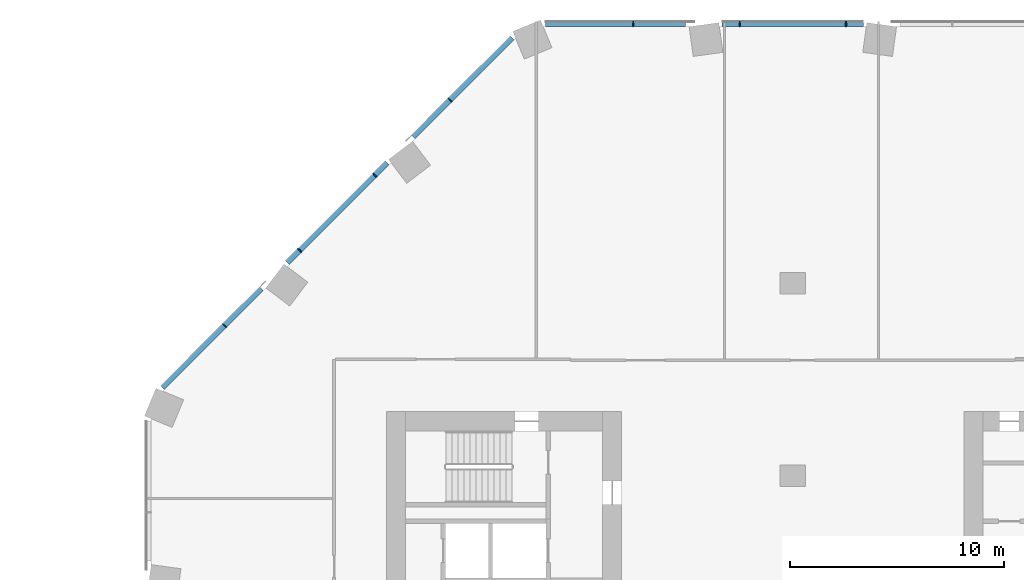
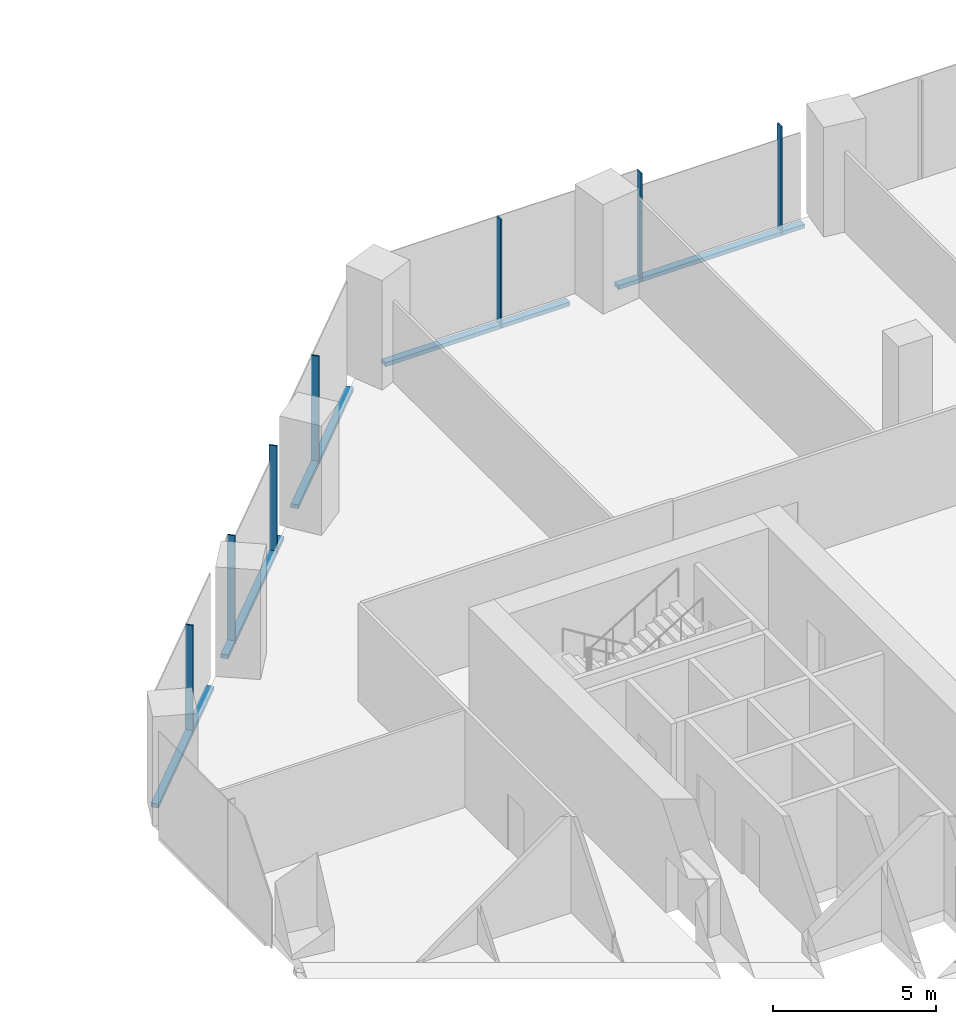
# One storey, part 10 of 29: 12 members, 2 elements without a shape of their own.
"""IFC4 building model written with IfcOpenShell, lengths in metres."""

from ifc_helpers import new_model, si_unit, direction, frame, origin, origin_2d, place, context, subcontext, project, spatial, rectangle, extrude, material, material_profile, profile_set, type_object, element, aggregate, save


model = new_model("IFC4")

# Units and contexts
model_context = context("Model", 3, precision=1e-05, world=origin(), true_north=direction((0.0, 1.0)))
body_context = subcontext(model_context, "Body", "Model", "MODEL_VIEW")
ifc_project = project(units=[si_unit("LENGTHUNIT", "METRE"), si_unit("AREAUNIT", "SQUARE_METRE"), si_unit("VOLUMEUNIT", "CUBIC_METRE"), si_unit("PLANEANGLEUNIT", "RADIAN"), si_unit("MASSUNIT", "GRAM", prefix="KILO")], contexts=[model_context])

# Site, building, storey
site_placement = place(None, origin())
site = spatial("IfcSite", under=ifc_project, at=site_placement, CompositionType="ELEMENT")
building_placement = place(site_placement, origin())
building = spatial("IfcBuilding", under=site, at=building_placement, Name="Orlundy Tower", CompositionType="ELEMENT")
storey_placement = place(building_placement, frame((0.0, 0.0, 29.199951171875)))
storey = spatial("IfcBuildingStorey", under=building, at=storey_placement, Name="L05", CompositionType="ELEMENT", Elevation=29.199951171875)

# Curtain wall, members
ifc_material_1 = material(Name="Aluminium bronze anodised", Category="aluminium")
curtain_wall_type = type_object("IfcCurtainWallType", Name="CW2 wall", PredefinedType="NOTDEFINED", material=ifc_material_1)
curtain_wall_1_placement = place(storey_placement, origin())
curtain_wall_1 = element("IfcCurtainWall", 1, at=curtain_wall_1_placement, inside=storey, type_object=curtain_wall_type, Name="CW2 run 014", PredefinedType="NOTDEFINED")
ifc_material_2 = material(Name="Aluminium bronze anodised", Category="aluminium")
ifc_material_profile_1 = material_profile(ifc_material_2, rectangle(XDim=0.25, YDim=0.050048828125, at=origin_2d()), Name="CW2 mullion 50x250")
ifc_profile_set_1 = profile_set([ifc_material_profile_1], Name="Aluminium bronze anodised")
member_type_1 = type_object("IfcMemberType", Name="CW2 mullion 50x250", PredefinedType="MULLION", material=ifc_profile_set_1)
member_1_placement = place(storey_placement, frame((-26.573486328125, 16.029296875, -0.39990234375), z_axis=(0.0, 0.0, 1.0), x_axis=(-0.707106781187, 0.707106781187, 0.0)))
member_1 = element("IfcMember", 2, at=member_1_placement, type_object=member_type_1, Name="CW2 mullion 35", PredefinedType="MULLION", context=body_context, shape_type="SweptSolid", body=[
    extrude(rectangle(XDim=0.25, YDim=0.050048828125, at=origin_2d()), origin(), (0.0, 0.0, 1.0), 4.079833984375),
])
member_2_placement = place(storey_placement, frame((-23.058837890625, 19.5439453125, -0.39990234375), z_axis=(0.0, 0.0, 1.0), x_axis=(-0.707106781187, 0.707106781187, 0.0)))
member_2 = element("IfcMember", 3, at=member_2_placement, type_object=member_type_1, Name="CW2 mullion 36", PredefinedType="MULLION", context=body_context, shape_type="SweptSolid", body=[
    extrude(rectangle(XDim=0.25, YDim=0.050048828125, at=origin_2d()), origin(), (0.0, 0.0, 1.0), 4.079833984375),
])
member_3_placement = place(storey_placement, frame((-19.5439453125, 23.058837890625, -0.39990234375), z_axis=(0.0, 0.0, 1.0), x_axis=(-0.707106781187, 0.707106781187, 0.0)))
member_3 = element("IfcMember", 4, at=member_3_placement, type_object=member_type_1, Name="CW2 mullion 37", PredefinedType="MULLION", context=body_context, shape_type="SweptSolid", body=[
    extrude(rectangle(XDim=0.25, YDim=0.050048828125, at=origin_2d()), origin(), (0.0, 0.0, 1.0), 4.079833984375),
])
member_4_placement = place(storey_placement, frame((-16.029296875, 26.573486328125, -0.39990234375), z_axis=(0.0, 0.0, 1.0), x_axis=(-0.707106781187, 0.707106781187, 0.0)))
member_4 = element("IfcMember", 5, at=member_4_placement, type_object=member_type_1, Name="CW2 mullion 38", PredefinedType="MULLION", context=body_context, shape_type="SweptSolid", body=[
    extrude(rectangle(XDim=0.25, YDim=0.050048828125, at=origin_2d()), origin(), (0.0, 0.0, 1.0), 4.079833984375),
])

curtain_wall_2_placement = place(storey_placement, origin())
curtain_wall_2 = element("IfcCurtainWall", 6, at=curtain_wall_2_placement, inside=storey, type_object=curtain_wall_type, Name="CW2 run 015", PredefinedType="NOTDEFINED")
member_5_placement = place(storey_placement, frame((-7.45556640625, 30.125, -0.39990234375), z_axis=(0.0, 0.0, 1.0), x_axis=(0.0, 1.0, 0.0)))
member_5 = element("IfcMember", 7, at=member_5_placement, type_object=member_type_1, Name="CW2 mullion 40", PredefinedType="MULLION", context=body_context, shape_type="SweptSolid", body=[
    extrude(rectangle(XDim=0.25, YDim=0.050048828125, at=origin_2d()), origin(), (0.0, 0.0, 1.0), 4.079833984375),
])
member_6_placement = place(storey_placement, frame((-2.485107421875, 30.125, -0.39990234375), z_axis=(0.0, 0.0, 1.0), x_axis=(0.0, 1.0, 0.0)))
member_6 = element("IfcMember", 8, at=member_6_placement, type_object=member_type_1, Name="CW2 mullion 41", PredefinedType="MULLION", context=body_context, shape_type="SweptSolid", body=[
    extrude(rectangle(XDim=0.25, YDim=0.050048828125, at=origin_2d()), origin(), (0.0, 0.0, 1.0), 4.079833984375),
])
member_7_placement = place(storey_placement, frame((2.485107421875, 30.125, -0.39990234375), z_axis=(0.0, 0.0, 1.0), x_axis=(0.0, 1.0, 0.0)))
member_7 = element("IfcMember", 9, at=member_7_placement, type_object=member_type_1, Name="CW2 mullion 42", PredefinedType="MULLION", context=body_context, shape_type="SweptSolid", body=[
    extrude(rectangle(XDim=0.25, YDim=0.050048828125, at=origin_2d()), origin(), (0.0, 0.0, 1.0), 4.079833984375),
])

# Member
ifc_material_3 = material(Name="Aluminium bronze anodised", Category="aluminium")
ifc_material_profile_2 = material_profile(ifc_material_3, rectangle(XDim=0.25, YDim=0.14990234375, at=origin_2d()), Name="CW2 transom 250x150")
ifc_profile_set_2 = profile_set([ifc_material_profile_2], Name="Aluminium bronze anodised")
member_type_2 = type_object("IfcMemberType", Name="CW2 transom 250x150", PredefinedType="USERDEFINED", material=ifc_profile_set_2)
member_8_placement = place(storey_placement, frame((-29.47412109375, 13.128662109375, -0.324951171875), z_axis=(0.707106781187, 0.707106781187, 0.0), x_axis=(-0.707106781187, 0.707106781187, 0.0)))
member_8 = element("IfcMember", 10, at=member_8_placement, type_object=member_type_2, Name="CW2 transom", ObjectType="TRANSOM", PredefinedType="USERDEFINED", context=body_context, shape_type="SweptSolid", body=[
    extrude(rectangle(XDim=0.25, YDim=0.14990234375, at=origin_2d()), origin(), (0.0, 0.0, 1.0), 6.541015625),
])

member_9_placement = place(storey_placement, frame((-23.635498046875, 18.96728515625, -0.324951171875), z_axis=(0.707106781187, 0.707106781187, 0.0), x_axis=(-0.707106781187, 0.707106781187, 0.0)))
member_9 = element("IfcMember", 11, at=member_9_placement, type_object=member_type_2, Name="CW2 transom", ObjectType="TRANSOM", PredefinedType="USERDEFINED", context=body_context, shape_type="SweptSolid", body=[
    extrude(rectangle(XDim=0.25, YDim=0.14990234375, at=origin_2d()), origin(), (0.0, 0.0, 1.0), 6.601806640625),
])

member_10_placement = place(storey_placement, frame((-17.75390625, 24.848876953125, -0.324951171875), z_axis=(0.707106781187, 0.707106781187, 0.0), x_axis=(-0.707106781187, 0.707106781187, 0.0)))
member_10 = element("IfcMember", 12, at=member_10_placement, type_object=member_type_2, Name="CW2 transom", ObjectType="TRANSOM", PredefinedType="USERDEFINED", context=body_context, shape_type="SweptSolid", body=[
    extrude(rectangle(XDim=0.25, YDim=0.14990234375, at=origin_2d()), origin(), (0.0, 0.0, 1.0), 6.541015625),
])

aggregate(curtain_wall_1, [member_1, member_2, member_3, member_4, member_8, member_9, member_10])

member_11_placement = place(storey_placement, frame((-11.558349609375, 30.125, -0.324951171875), z_axis=(1.0, 0.0, 0.0), x_axis=(0.0, 1.0, 0.0)))
member_11 = element("IfcMember", 13, at=member_11_placement, type_object=member_type_2, Name="CW2 transom", ObjectType="TRANSOM", PredefinedType="USERDEFINED", context=body_context, shape_type="SweptSolid", body=[
    extrude(rectangle(XDim=0.25, YDim=0.14990234375, at=origin_2d()), origin(), (0.0, 0.0, 1.0), 6.541259765625),
])

member_12_placement = place(storey_placement, frame((-3.301025390625, 30.125, -0.324951171875), z_axis=(1.0, 0.0, 0.0), x_axis=(0.0, 1.0, 0.0)))
member_12 = element("IfcMember", 14, at=member_12_placement, type_object=member_type_2, Name="CW2 transom", ObjectType="TRANSOM", PredefinedType="USERDEFINED", context=body_context, shape_type="SweptSolid", body=[
    extrude(rectangle(XDim=0.25, YDim=0.14990234375, at=origin_2d()), origin(), (0.0, 0.0, 1.0), 6.60205078125),
])

aggregate(curtain_wall_2, [member_5, member_6, member_7, member_11, member_12])

save(model, "model.ifc")
